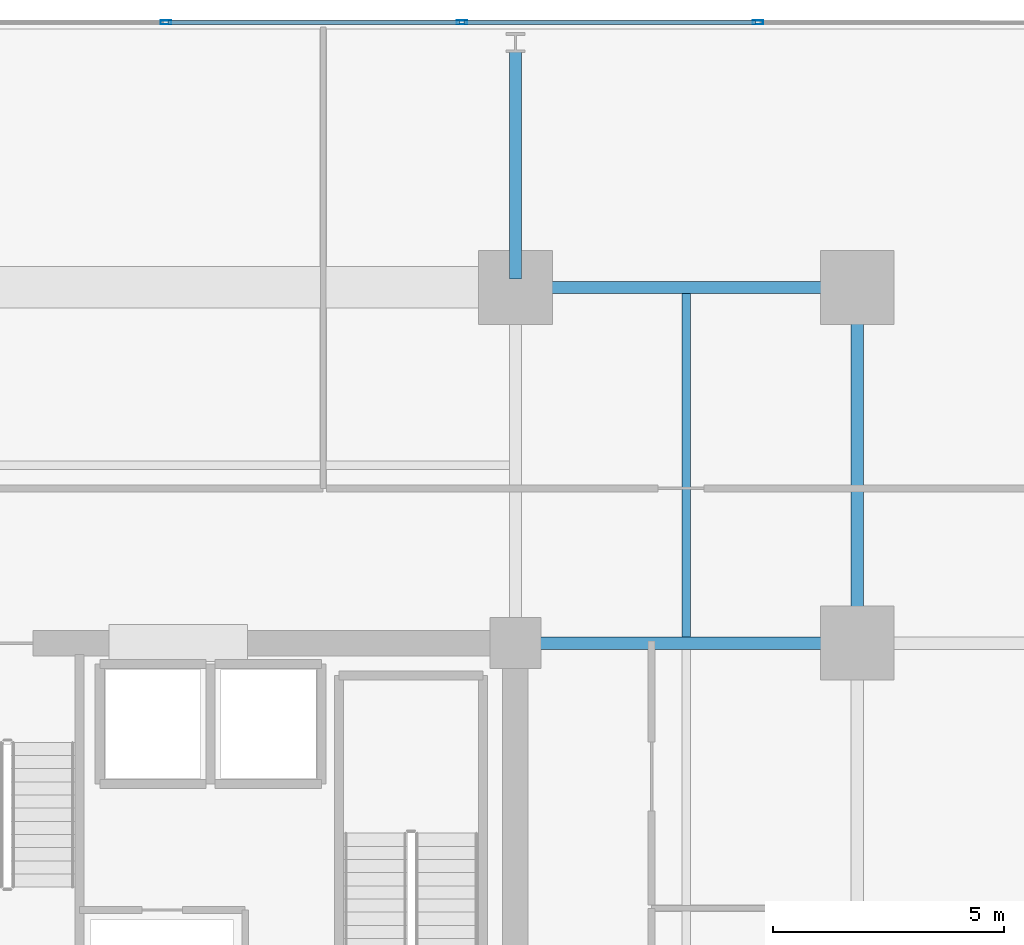
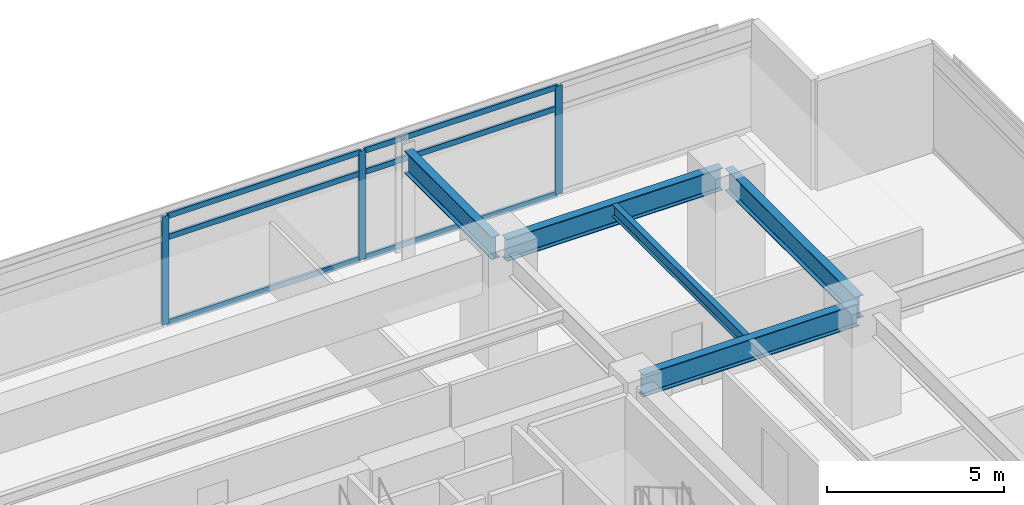
# One storey, part 11 of 23: 9 members, 5 beams, 1 element without a shape of its own.
"""IFC4 building model written with IfcOpenShell, lengths in metres."""

from ifc_helpers import new_model, si_unit, direction, frame, origin, origin_2d, place, context, subcontext, project, spatial, hollow_rectangle, i_section, extrude, material, material_profile, profile_set, type_object, element, aggregate, save


model = new_model("IFC4")

# Units and contexts
model_context = context("Model", 3, precision=1e-05, world=origin(), true_north=direction((0.0, 1.0)))
body_context = subcontext(model_context, "Body", "Model", "MODEL_VIEW")
ifc_project = project(units=[si_unit("LENGTHUNIT", "METRE"), si_unit("AREAUNIT", "SQUARE_METRE"), si_unit("VOLUMEUNIT", "CUBIC_METRE"), si_unit("PLANEANGLEUNIT", "RADIAN"), si_unit("MASSUNIT", "GRAM", prefix="KILO")], contexts=[model_context])

# Site, building, storey
site_placement = place(None, origin())
site = spatial("IfcSite", under=ifc_project, at=site_placement, CompositionType="ELEMENT")
building_placement = place(site_placement, origin())
building = spatial("IfcBuilding", under=site, at=building_placement, Name="Kovane Verandah Tower", CompositionType="ELEMENT")
storey_placement = place(building_placement, frame((0.0, 0.0, 140.39990234375)))
storey = spatial("IfcBuildingStorey", under=building, at=storey_placement, Name="L32", CompositionType="ELEMENT", Elevation=140.39990234375)

# Beams
ifc_material_1 = material(Name="Steel S355", Category="steel")
ifc_material_profile_1 = material_profile(ifc_material_1, i_section(OverallWidth=0.26806640625, OverallDepth=0.769775390625, WebThickness=0.015625, FlangeThickness=0.025390625, FilletRadius=0.0166015625, at=origin_2d()), Name="UB762x267x197")
ifc_profile_set_1 = profile_set([ifc_material_profile_1], Name="Steel S355")
beam_type_1 = type_object("IfcBeamType", Name="BM-UB762x197", PredefinedType="BEAM", material=ifc_profile_set_1)
beam_1_placement = place(storey_placement, frame((51.179931640625, 44.199951171875, 3.39013671875), z_axis=(1.0, 0.0, 0.0), x_axis=(0.0, 1.0, 0.0)))
element("IfcBeam", 1, at=beam_1_placement, inside=storey, type_object=beam_type_1, Name="L32 Primary Tower Girder G-RN3", PredefinedType="BEAM", context=body_context, shape_type="SweptSolid", body=[
    extrude(i_section(OverallWidth=0.26806640625, OverallDepth=0.769775390625, WebThickness=0.015625, FlangeThickness=0.025390625, FilletRadius=0.0166015625, at=origin_2d()), origin(), (0.0, 0.0, 1.0), 7.0400390625),
])
beam_2_placement = place(storey_placement, frame((58.39990234375, 36.679931640625, 3.39013671875), z_axis=(0.0, 1.0, 0.0), x_axis=(-1.0, 0.0, 0.0)))
element("IfcBeam", 2, at=beam_2_placement, inside=storey, type_object=beam_type_1, Name="L32 Primary Tower Girder G-RE3", PredefinedType="BEAM", context=body_context, shape_type="SweptSolid", body=[
    extrude(i_section(OverallWidth=0.26806640625, OverallDepth=0.769775390625, WebThickness=0.015625, FlangeThickness=0.025390625, FilletRadius=0.0166015625, at=origin_2d()), origin(), (0.0, 0.0, 1.0), 7.340087890625),
])
beam_3_placement = place(storey_placement, frame((51.179931640625, 36.5, 3.39013671875), z_axis=(1.0, 0.0, 0.0), x_axis=(0.0, 1.0, 0.0)))
element("IfcBeam", 3, at=beam_3_placement, inside=storey, type_object=beam_type_1, Name="L32 Primary Tower Girder G-E2", PredefinedType="BEAM", context=body_context, shape_type="SweptSolid", body=[
    extrude(i_section(OverallWidth=0.26806640625, OverallDepth=0.769775390625, WebThickness=0.015625, FlangeThickness=0.025390625, FilletRadius=0.0166015625, at=origin_2d()), origin(), (0.0, 0.0, 1.0), 7.0400390625),
])
beam_4_placement = place(storey_placement, frame((51.0, 44.3798828125, 3.375244140625), z_axis=(0.0, 1.0, 0.0), x_axis=(-1.0, 0.0, 0.0)))
element("IfcBeam", 4, at=beam_4_placement, inside=storey, type_object=beam_type_1, Name="L32 Primary Tower Girder G-VN2", PredefinedType="BEAM", context=body_context, shape_type="SweptSolid", body=[
    extrude(i_section(OverallWidth=0.26806640625, OverallDepth=0.769775390625, WebThickness=0.015625, FlangeThickness=0.025390625, FilletRadius=0.0166015625, at=origin_2d()), origin(), (0.0, 0.0, 1.0), 4.940185546875),
])

# Curtain wall, members
ifc_material_2 = material(Name="Champagne Anodised Aluminium Frame with Low-E Clear Laminated Glass", Category="aluminium")
curtain_wall_type = type_object("IfcCurtainWallType", Name="CW-SYS-03-MID", PredefinedType="NOTDEFINED", material=ifc_material_2)
curtain_wall_placement = place(storey_placement, origin())
curtain_wall = element("IfcCurtainWall", 5, at=curtain_wall_placement, inside=storey, type_object=curtain_wall_type, Name="L32 N Unitised Curtain Wall", PredefinedType="NOTDEFINED")
ifc_material_3 = material(Name="Champagne Anodised Aluminium 6063-T6", Category="aluminium")
ifc_material_profile_2 = material_profile(ifc_material_3, hollow_rectangle(XDim=0.0849609375, YDim=0.22998046875, WallThickness=0.00390625, at=origin_2d()), Name="AL85x230x4")
ifc_profile_set_2 = profile_set([ifc_material_profile_2], Name="Champagne Anodised Aluminium 6063-T6")
member_type_1 = type_object("IfcMemberType", Name="CW-MUL-85x230", PredefinedType="MULLION", material=ifc_profile_set_2)
member_1_placement = place(storey_placement, frame((56.247802734375, 49.94091796875, 0.02001953125), z_axis=(0.0, 0.0, 1.0), x_axis=(0.0, 1.0, 0.0)))
member_1 = element("IfcMember", 6, at=member_1_placement, type_object=member_type_1, Name="L32 N Unitised Curtain Wall Mullion 2", PredefinedType="MULLION", context=body_context, shape_type="SweptSolid", body=[
    extrude(hollow_rectangle(XDim=0.0849609375, YDim=0.22998046875, WallThickness=0.00390625, at=origin_2d()), origin(), (0.0, 0.0, 1.0), 3.735107421875),
])
member_2_placement = place(storey_placement, frame((49.83984375, 49.94091796875, 0.02001953125), z_axis=(0.0, 0.0, 1.0), x_axis=(0.0, 1.0, 0.0)))
member_2 = element("IfcMember", 7, at=member_2_placement, type_object=member_type_1, Name="L32 N Unitised Curtain Wall Mullion 3", PredefinedType="MULLION", context=body_context, shape_type="SweptSolid", body=[
    extrude(hollow_rectangle(XDim=0.0849609375, YDim=0.22998046875, WallThickness=0.00390625, at=origin_2d()), origin(), (0.0, 0.0, 1.0), 3.735107421875),
])
member_3_placement = place(storey_placement, frame((43.431640625, 49.94091796875, 0.02001953125), z_axis=(0.0, 0.0, 1.0), x_axis=(0.0, 1.0, 0.0)))
member_3 = element("IfcMember", 8, at=member_3_placement, type_object=member_type_1, Name="L32 N Unitised Curtain Wall Mullion 4", PredefinedType="MULLION", context=body_context, shape_type="SweptSolid", body=[
    extrude(hollow_rectangle(XDim=0.0849609375, YDim=0.22998046875, WallThickness=0.00390625, at=origin_2d()), origin(), (0.0, 0.0, 1.0), 3.735107421875),
])
ifc_material_profile_3 = material_profile(ifc_material_3, hollow_rectangle(XDim=0.0849609375, YDim=0.18994140625, WallThickness=0.00390625, at=origin_2d()), Name="AL85x190x4")
ifc_profile_set_3 = profile_set([ifc_material_profile_3], Name="Champagne Anodised Aluminium 6063-T6")
member_type_2 = type_object("IfcMemberType", Name="CW-TRN-85x190", PredefinedType="USERDEFINED", material=ifc_profile_set_3)
member_4_placement = place(storey_placement, frame((56.197998046875, 49.94091796875, 0.050048828125), z_axis=(-1.0, 0.0, 0.0), x_axis=(0.0, -1.0, 0.0)))
member_4 = element("IfcMember", 9, at=member_4_placement, type_object=member_type_2, Name="L32 N Unitised Curtain Wall Transom TB Bay 2", ObjectType="TRANSOM", PredefinedType="USERDEFINED", context=body_context, shape_type="SweptSolid", body=[
    extrude(hollow_rectangle(XDim=0.0849609375, YDim=0.18994140625, WallThickness=0.00390625, at=origin_2d()), origin(), (0.0, 0.0, 1.0), 6.30810546875),
])
member_5_placement = place(storey_placement, frame((56.197998046875, 49.94091796875, 2.9951171875), z_axis=(-1.0, 0.0, 0.0), x_axis=(0.0, -1.0, 0.0)))
member_5 = element("IfcMember", 10, at=member_5_placement, type_object=member_type_2, Name="L32 N Unitised Curtain Wall Transom TM Bay 2", ObjectType="TRANSOM", PredefinedType="USERDEFINED", context=body_context, shape_type="SweptSolid", body=[
    extrude(hollow_rectangle(XDim=0.0849609375, YDim=0.18994140625, WallThickness=0.00390625, at=origin_2d()), origin(), (0.0, 0.0, 1.0), 6.30810546875),
])
member_6_placement = place(storey_placement, frame((56.197998046875, 49.94091796875, 3.72509765625), z_axis=(-1.0, 0.0, 0.0), x_axis=(0.0, -1.0, 0.0)))
member_6 = element("IfcMember", 11, at=member_6_placement, type_object=member_type_2, Name="L32 N Unitised Curtain Wall Transom TT Bay 2", ObjectType="TRANSOM", PredefinedType="USERDEFINED", context=body_context, shape_type="SweptSolid", body=[
    extrude(hollow_rectangle(XDim=0.0849609375, YDim=0.18994140625, WallThickness=0.00390625, at=origin_2d()), origin(), (0.0, 0.0, 1.0), 6.30810546875),
])
member_7_placement = place(storey_placement, frame((49.789794921875, 49.94091796875, 0.050048828125), z_axis=(-1.0, 0.0, 0.0), x_axis=(0.0, -1.0, 0.0)))
member_7 = element("IfcMember", 12, at=member_7_placement, type_object=member_type_2, Name="L32 N Unitised Curtain Wall Transom TB Bay 3", ObjectType="TRANSOM", PredefinedType="USERDEFINED", context=body_context, shape_type="SweptSolid", body=[
    extrude(hollow_rectangle(XDim=0.0849609375, YDim=0.18994140625, WallThickness=0.00390625, at=origin_2d()), origin(), (0.0, 0.0, 1.0), 6.30810546875),
])
member_8_placement = place(storey_placement, frame((49.789794921875, 49.94091796875, 2.9951171875), z_axis=(-1.0, 0.0, 0.0), x_axis=(0.0, -1.0, 0.0)))
member_8 = element("IfcMember", 13, at=member_8_placement, type_object=member_type_2, Name="L32 N Unitised Curtain Wall Transom TM Bay 3", ObjectType="TRANSOM", PredefinedType="USERDEFINED", context=body_context, shape_type="SweptSolid", body=[
    extrude(hollow_rectangle(XDim=0.0849609375, YDim=0.18994140625, WallThickness=0.00390625, at=origin_2d()), origin(), (0.0, 0.0, 1.0), 6.30810546875),
])
member_9_placement = place(storey_placement, frame((49.789794921875, 49.94091796875, 3.72509765625), z_axis=(-1.0, 0.0, 0.0), x_axis=(0.0, -1.0, 0.0)))
member_9 = element("IfcMember", 14, at=member_9_placement, type_object=member_type_2, Name="L32 N Unitised Curtain Wall Transom TT Bay 3", ObjectType="TRANSOM", PredefinedType="USERDEFINED", context=body_context, shape_type="SweptSolid", body=[
    extrude(hollow_rectangle(XDim=0.0849609375, YDim=0.18994140625, WallThickness=0.00390625, at=origin_2d()), origin(), (0.0, 0.0, 1.0), 6.30810546875),
])
aggregate(curtain_wall, [member_1, member_2, member_3, member_4, member_5, member_6, member_7, member_8, member_9])

# Beam
ifc_material_profile_4 = material_profile(ifc_material_1, i_section(OverallWidth=0.179443359375, OverallDepth=0.412841796875, WebThickness=0.009521484375, FlangeThickness=0.01611328125, FilletRadius=0.01025390625, at=origin_2d()), Name="UB406x178x74")
ifc_profile_set_4 = profile_set([ifc_material_profile_4], Name="Steel S355")
beam_type_2 = type_object("IfcBeamType", Name="JST-UB406x74", PredefinedType="JOIST", material=ifc_profile_set_4)
beam_5_placement = place(storey_placement, frame((54.699951171875, 36.632080078125, 3.568603515625), z_axis=(0.0, 1.0, 0.0), x_axis=(-1.0, 0.0, 0.0)))
element("IfcBeam", 15, at=beam_5_placement, inside=storey, type_object=beam_type_2, Name="L32 Secondary Composite Joist J-NE1", PredefinedType="JOIST", context=body_context, shape_type="SweptSolid", body=[
    extrude(i_section(OverallWidth=0.179443359375, OverallDepth=0.412841796875, WebThickness=0.009521484375, FlangeThickness=0.01611328125, FilletRadius=0.01025390625, at=origin_2d()), origin(), (0.0, 0.0, 1.0), 7.43603515625),
])

save(model, "model.ifc")
